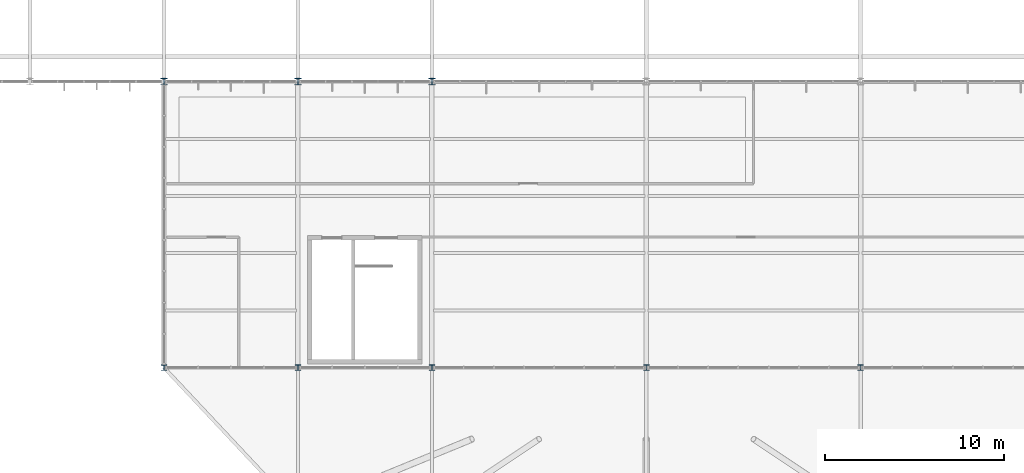
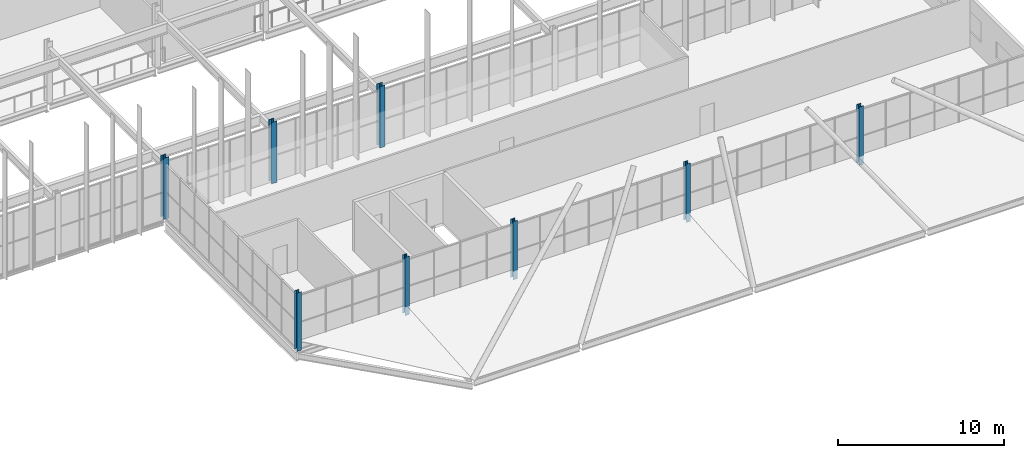
# One storey, part 11 of 324: 8 columns.
"""IFC4 building model written with IfcOpenShell, lengths in metres."""

from ifc_helpers import new_model, si_unit, direction, frame, origin, origin_2d, place, context, subcontext, project, spatial, i_section, extrude, material, material_profile, profile_set, type_object, element, save


model = new_model("IFC4")

# Units and contexts
model_context = context("Model", 3, precision=1e-05, world=origin(), true_north=direction((0.0, 1.0)))
body_context = subcontext(model_context, "Body", "Model", "MODEL_VIEW")
ifc_project = project(units=[si_unit("LENGTHUNIT", "METRE"), si_unit("AREAUNIT", "SQUARE_METRE"), si_unit("VOLUMEUNIT", "CUBIC_METRE"), si_unit("PLANEANGLEUNIT", "RADIAN"), si_unit("MASSUNIT", "GRAM", prefix="KILO")], contexts=[model_context])

# Site, building, storey
site_placement = place(None, origin())
site = spatial("IfcSite", under=ifc_project, at=site_placement, CompositionType="ELEMENT")
building_placement = place(site_placement, origin())
building = spatial("IfcBuilding", under=site, at=building_placement, Name="Solvenia Promenade Tram Depot", CompositionType="ELEMENT")
storey_placement = place(building_placement, frame((0.0, 0.0, 4.5)))
storey = spatial("IfcBuildingStorey", under=building, at=storey_placement, Name="L01", CompositionType="ELEMENT", Elevation=4.5)

# Columns
ifc_material = material(Name="Structural steel ASTM A992 Gr. 50", Category="steel")
ifc_material_profile_1 = material_profile(ifc_material, i_section(OverallWidth=0.30908203125, OverallDepth=0.322998046875, WebThickness=0.013916015625, FlangeThickness=0.02294921875, FilletRadius=0.014892578125, at=origin_2d()), Name="W310x143", Category="steel")
ifc_profile_set_1 = profile_set([ifc_material_profile_1], Name="Structural steel ASTM A992 Gr. 50")
column_type_1 = type_object("IfcColumnType", Name="Col-W310x143", PredefinedType="COLUMN", material=ifc_profile_set_1)
for number, where, z_axis, x_axis, name in (
    (1, (135.0, 8.0, 0.0), (0.0, 0.0, 1.0), (1.0, 0.0, 0.0), "Steel Column COL-L01-263"),
    (2, (142.5, 8.0, 0.0), (0.0, 0.0, 1.0), (1.0, 0.0, 0.0), "Steel Column COL-L01-284"),
    (3, (150.0, 8.0, 0.0), (0.0, 0.0, 1.0), (1.0, 0.0, 0.0), "Steel Column COL-L01-305"),
    (4, (162.0, 8.0, 0.0), (0.0, 0.0, 1.0), (1.0, 0.0, 0.0), "Steel Column COL-L01-326"),
    (5, (174.0, 8.0, 0.0), (0.0, 0.0, 1.0), (1.0, 0.0, 0.0), "Steel Column COL-L01-344"),
):
    element("IfcColumn", number, at=place(storey_placement, frame(where, z_axis=z_axis, x_axis=x_axis)), inside=storey, type_object=column_type_1, Name=name, PredefinedType="COLUMN", context=body_context, shape_type="SweptSolid", body=[
        extrude(i_section(OverallWidth=0.30908203125, OverallDepth=0.322998046875, WebThickness=0.013916015625, FlangeThickness=0.02294921875, FilletRadius=0.014892578125, at=origin_2d()), origin(), (0.0, 0.0, 1.0), 4.280029296875),
    ])
ifc_material_profile_2 = material_profile(ifc_material, i_section(OverallWidth=0.373046875, OverallDepth=0.367919921875, WebThickness=0.014892578125, FlangeThickness=0.02392578125, FilletRadius=0.014892578125, at=origin_2d()), Name="W360x179", Category="steel")
ifc_profile_set_2 = profile_set([ifc_material_profile_2], Name="Structural steel ASTM A992 Gr. 50")
column_type_2 = type_object("IfcColumnType", Name="Col-W360x179", PredefinedType="COLUMN", material=ifc_profile_set_2)
for number, where, z_axis, x_axis, name in (
    (6, (135.0, 24.0, 0.0), (0.0, 0.0, 1.0), (1.0, 0.0, 0.0), "Steel Column COL-L01-265"),
    (7, (142.5, 24.0, 0.0), (0.0, 0.0, 1.0), (1.0, 0.0, 0.0), "Steel Column COL-L01-286"),
    (8, (150.0, 24.0, 0.0), (0.0, 0.0, 1.0), (1.0, 0.0, 0.0), "Steel Column COL-L01-307"),
):
    element("IfcColumn", number, at=place(storey_placement, frame(where, z_axis=z_axis, x_axis=x_axis)), inside=storey, type_object=column_type_2, Name=name, PredefinedType="COLUMN", context=body_context, shape_type="SweptSolid", body=[
        extrude(i_section(OverallWidth=0.373046875, OverallDepth=0.367919921875, WebThickness=0.014892578125, FlangeThickness=0.02392578125, FilletRadius=0.014892578125, at=origin_2d()), origin(), (0.0, 0.0, 1.0), 4.5),
    ])

save(model, "model.ifc")
